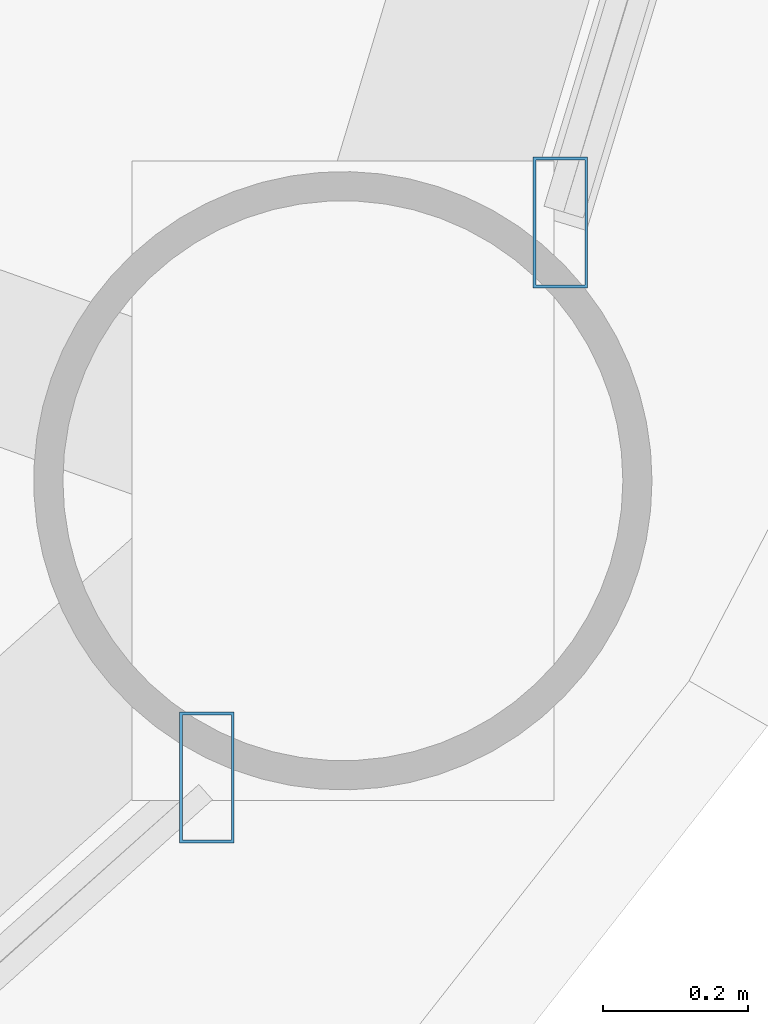
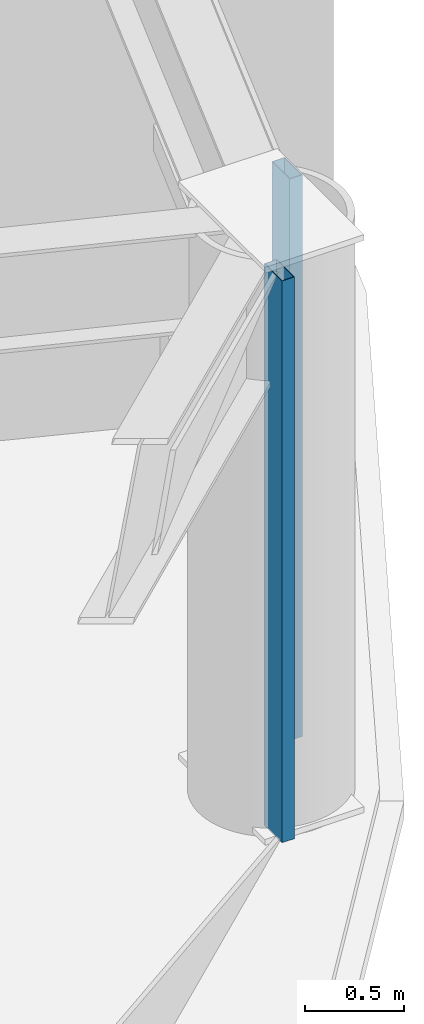
# One storey, part 10 of 33: 2 members, 2 elements without a shape of their own.
"""IFC4 building model written with IfcOpenShell, lengths in metres."""

from ifc_helpers import new_model, si_unit, direction, frame, origin, origin_2d, place, context, subcontext, project, spatial, hollow_rectangle, extrude, material, layer, layer_set, material_profile, profile_set, type_object, element, aggregate, save


model = new_model("IFC4")

# Units and contexts
model_context = context("Model", 3, precision=1e-05, world=origin(), true_north=direction((0.0, 1.0)))
body_context = subcontext(model_context, "Body", "Model", "MODEL_VIEW")
ifc_project = project(units=[si_unit("LENGTHUNIT", "METRE"), si_unit("AREAUNIT", "SQUARE_METRE"), si_unit("VOLUMEUNIT", "CUBIC_METRE"), si_unit("PLANEANGLEUNIT", "RADIAN"), si_unit("MASSUNIT", "GRAM", prefix="KILO")], contexts=[model_context])

# Site, building, storey
site_placement = place(None, origin())
site = spatial("IfcSite", under=ifc_project, at=site_placement, CompositionType="ELEMENT")
building_placement = place(site_placement, origin())
building = spatial("IfcBuilding", under=site, at=building_placement, Name="Vantalir Tower", CompositionType="ELEMENT")
storey_placement = place(building_placement, frame((0.0, 0.0, 68.25)))
storey = spatial("IfcBuildingStorey", under=building, at=storey_placement, Name="L16", CompositionType="ELEMENT", Elevation=68.25)

# Curtain wall, member
ifc_material_1 = material(Name="Champagne-silver PVDF aluminium and double-silver Low-E glass", Category="aluminium")
ifc_layer = layer(ifc_material_1, 0.18994140625)
ifc_layer_set = layer_set([ifc_layer], Name="Champagne-silver PVDF aluminium and double-silver Low-E glass")
curtain_wall_type = type_object("IfcCurtainWallType", Name="CW-DIAMOND-Z1", PredefinedType="USERDEFINED", material=ifc_layer_set)
curtain_wall_1_placement = place(storey_placement, origin())
curtain_wall_1 = element("IfcCurtainWall", 1, at=curtain_wall_1_placement, inside=storey, type_object=curtain_wall_type, Name="L16 Quilted Pyramid-Diamond Curtain Wall S11", ObjectType="UNITISED CURTAIN WALL", PredefinedType="USERDEFINED")
ifc_material_2 = material(Name="Champagne-silver PVDF aluminium 6063-T6", Category="aluminium")
ifc_material_profile = material_profile(ifc_material_2, hollow_rectangle(XDim=0.074951171875, YDim=0.179931640625, WallThickness=0.00390625, at=origin_2d()), Name="Champagne-silver PVDF aluminium 6063-T6")
ifc_profile_set = profile_set([ifc_material_profile], Name="Champagne-silver PVDF aluminium 6063-T6")
member_type = type_object("IfcMemberType", Name="CWM-180x75", PredefinedType="MULLION", material=ifc_profile_set)
member_1_placement = place(storey_placement, frame((55.259033203125, 12.277099609375, 0.044921875), z_axis=(0.0, 0.0, 1.0), x_axis=(1.0, 0.0, 0.0)))
member_1 = element("IfcMember", 2, at=member_1_placement, type_object=member_type, Name="CW-L16-S11 Mullion 2", PredefinedType="MULLION", context=body_context, shape_type="SweptSolid", body=[
    extrude(hollow_rectangle(XDim=0.074951171875, YDim=0.179931640625, WallThickness=0.00390625, at=origin_2d()), origin(), (0.0, 0.0, 1.0), 3.47998046875),
])
aggregate(curtain_wall_1, [member_1])

curtain_wall_2_placement = place(storey_placement, origin())
curtain_wall_2 = element("IfcCurtainWall", 3, at=curtain_wall_2_placement, inside=storey, type_object=curtain_wall_type, Name="L16 Quilted Pyramid-Diamond Curtain Wall S12", ObjectType="UNITISED CURTAIN WALL", PredefinedType="USERDEFINED")
member_2_placement = place(storey_placement, frame((55.7451171875, 13.0400390625, 0.044921875), z_axis=(0.0, 0.0, 1.0), x_axis=(1.0, 0.0, 0.0)))
member_2 = element("IfcMember", 4, at=member_2_placement, type_object=member_type, Name="CW-L16-S12 Mullion 1", PredefinedType="MULLION", context=body_context, shape_type="SweptSolid", body=[
    extrude(hollow_rectangle(XDim=0.074951171875, YDim=0.179931640625, WallThickness=0.00390625, at=origin_2d()), origin(), (0.0, 0.0, 1.0), 3.47998046875),
])
aggregate(curtain_wall_2, [member_2])

save(model, "model.ifc")
